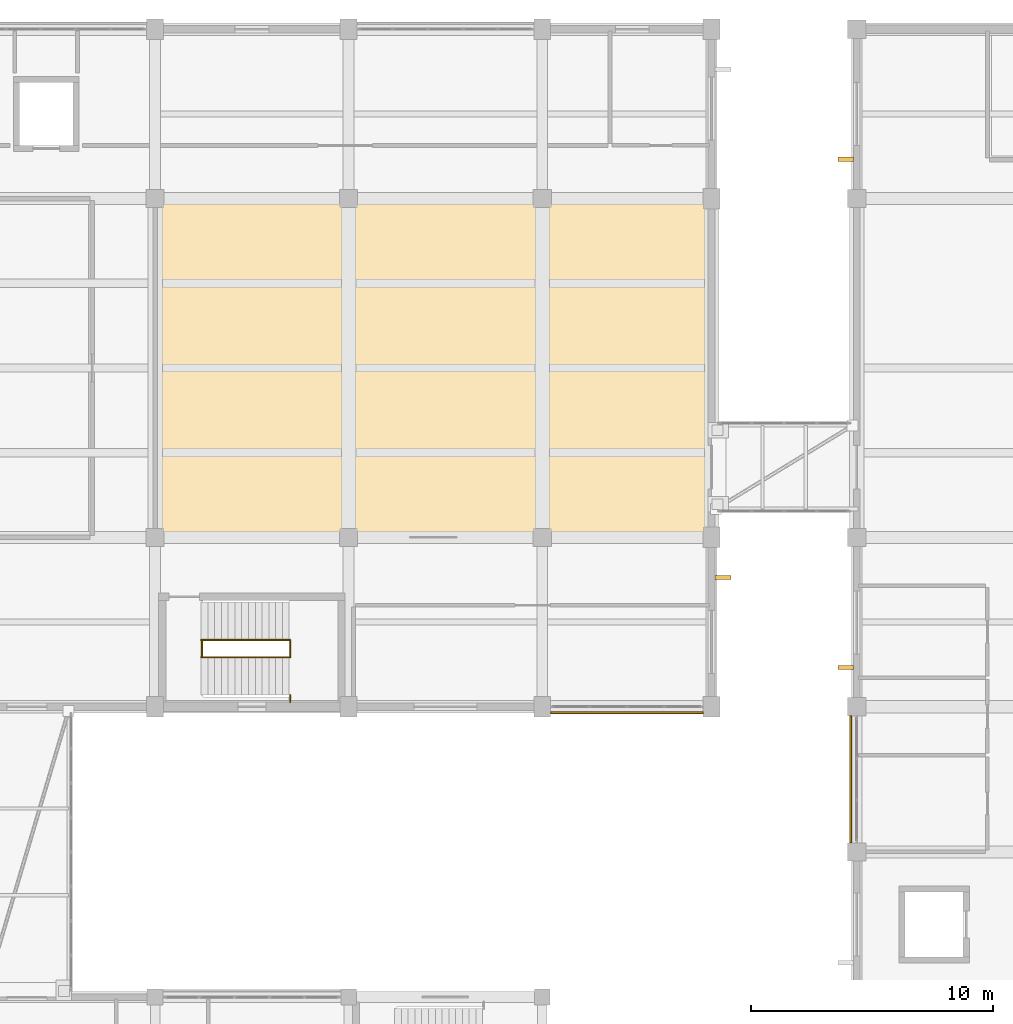
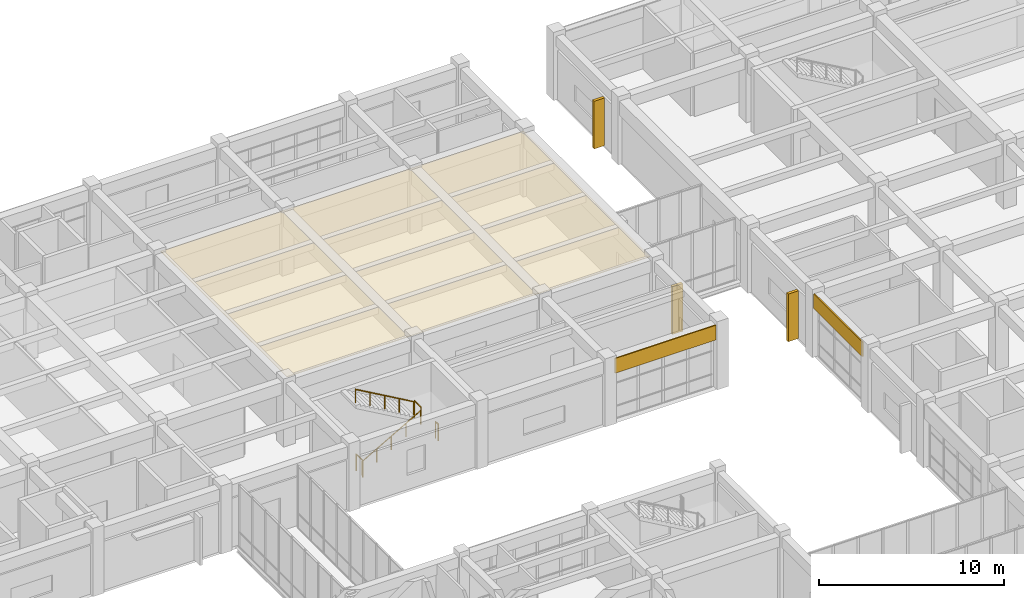
# One storey, part 67 of 70: 5 railings, 3 coverings, 3 shading devices.
"""IFC4 building model written with IfcOpenShell, lengths in metres."""

from ifc_helpers import new_model, si_unit, direction, frame, origin, origin_2d, place, context, subcontext, project, spatial, polyline, rectangle, circle, outline, extrude, material, layer, layer_set, type_object, element, save


model = new_model("IFC4")

# Units and contexts
model_context = context("Model", 3, precision=1e-05, world=origin(), true_north=direction((0.0, 1.0)))
body_context = subcontext(model_context, "Body", "Model", "MODEL_VIEW")
ifc_project = project(units=[si_unit("LENGTHUNIT", "METRE"), si_unit("AREAUNIT", "SQUARE_METRE"), si_unit("VOLUMEUNIT", "CUBIC_METRE"), si_unit("PLANEANGLEUNIT", "RADIAN"), si_unit("MASSUNIT", "GRAM", prefix="KILO")], contexts=[model_context])

# Site, building, storey
site_placement = place(None, origin())
site = spatial("IfcSite", under=ifc_project, at=site_placement, CompositionType="ELEMENT")
building_placement = place(site_placement, origin())
building = spatial("IfcBuilding", under=site, at=building_placement, Name="Naurynzar Civic Courthouse", CompositionType="ELEMENT")
storey_placement = place(building_placement, frame((0.0, 0.0, 5.39990234375)))
storey = spatial("IfcBuildingStorey", under=building, at=storey_placement, Name="L02", CompositionType="ELEMENT", Elevation=5.39990234375)

# Coverings
ifc_material_1 = material(Name="Acoustic Oak Timber Grade A", Category="wood")
ifc_layer_1 = layer(ifc_material_1, 0.044921875)
ifc_layer_set_1 = layer_set([ifc_layer_1], Name="CEIL-ACOUSTIC-OAK-45")
covering_type_1 = type_object("IfcCoveringType", Name="CEIL-ACOUSTIC-OAK-45", PredefinedType="CEILING", material=ifc_layer_set_1)
covering_1_placement = place(storey_placement, frame((0.0, 0.0, 4.114990234375)))
element("IfcCovering", 1, at=covering_1_placement, inside=storey, type_object=covering_type_1, Name="Acoustic suspended ceiling Civil Chamber Courtroom L02-E", PredefinedType="CEILING", context=body_context, shape_type="SweptSolid", body=[
    extrude(outline(polyline([(123.840087890625, 51.159912109375), (101.159912109375, 51.159912109375), (101.159912109375, 64.840087890625), (123.840087890625, 64.840087890625), (123.840087890625, 51.159912109375)])), origin(), (0.0, 0.0, 1.0), 0.045166015625),
])
ifc_material_2 = material(Name="Precast concrete C40/50", Category="concrete")
ifc_layer_2 = layer(ifc_material_2, 0.080078125)
ifc_layer_set_2 = layer_set([ifc_layer_2], Name="COV-CLAD-PRECAST-80")
covering_type_2 = type_object("IfcCoveringType", Name="COV-CLAD-PRECAST-80", PredefinedType="CLADDING", material=ifc_layer_set_2)
covering_2_placement = place(storey_placement, frame((120.5, 43.7451171875, 3.22998046875), z_axis=(0.0, 0.0, 1.0), x_axis=(-1.0, 0.0, 0.0)))
element("IfcCovering", 2, at=covering_2_placement, inside=storey, type_object=covering_type_2, Name="V2 precast spandrel cladding 23", PredefinedType="CLADDING", context=body_context, shape_type="SweptSolid", body=[
    extrude(rectangle(XDim=6.300048828125, YDim=0.080078125, at=origin_2d()), origin(), (0.0, 0.0, 1.0), 0.969970703125),
])
covering_3_placement = place(storey_placement, frame((129.7451171875, 41.0, 3.22998046875), z_axis=(0.0, 0.0, 1.0), x_axis=(0.0, 1.0, 0.0)))
element("IfcCovering", 3, at=covering_3_placement, inside=storey, type_object=covering_type_2, Name="V5 precast spandrel cladding 87", PredefinedType="CLADDING", context=body_context, shape_type="SweptSolid", body=[
    extrude(rectangle(XDim=5.25, YDim=0.080078125, at=origin_2d()), origin(), (0.0, 0.0, 1.0), 0.969970703125),
])

# Railings
ifc_material_3 = material(Name="Brushed Stainless Steel 304", Category="steel")
railing_type_1 = type_object("IfcRailingType", Name="RAIL-BAL-1100", PredefinedType="BALUSTRADE", material=ifc_material_3)
for number, where, name in (
    (4, (102.93994140625, 46.0400390625, 0.0), "Stair ST-V2B floor well slot guard L02"),
    (5, (106.580078125, 46.0400390625, 2.25), "Stair ST-V2B-L02 half-landing well guard"),
):
    element("IfcRailing", number, at=place(storey_placement, frame(where)), inside=storey, type_object=railing_type_1, Name=name, PredefinedType="BALUSTRADE", context=body_context, shape_type="SweptSolid", body=[
        extrude(circle(Radius=0.02392578125, at=origin_2d()), frame((0.0, 0.0, 1.09619140625), z_axis=(0.0, 1.0, 0.0), x_axis=(-1.0, 0.0, 0.0)), (0.0, 0.0, 1.0), 0.719970703125),
        extrude(circle(Radius=0.02099609375, at=origin_2d()), origin(), (0.0, 0.0, 1.0), 1.072021484375),
        extrude(circle(Radius=0.02099609375, at=origin_2d()), frame((0.0, 0.719970703125, 0.0)), (0.0, 0.0, 1.0), 1.072021484375),
    ])
railing_1_placement = place(storey_placement, frame((106.580078125, 44.195068359375, 2.25)))
element("IfcRailing", 6, at=railing_1_placement, inside=storey, type_object=railing_type_1, Name="Stair ST-V2B-L02 half-landing south slot guard", PredefinedType="BALUSTRADE", context=body_context, shape_type="SweptSolid", body=[
    extrude(circle(Radius=0.02392578125, at=origin_2d()), frame((0.0, 0.0, 1.09619140625), z_axis=(0.0, 1.0, 0.0), x_axis=(-1.0, 0.0, 0.0)), (0.0, 0.0, 1.0), 0.284912109375),
    extrude(circle(Radius=0.02099609375, at=origin_2d()), origin(), (0.0, 0.0, 1.0), 1.072021484375),
    extrude(circle(Radius=0.02099609375, at=origin_2d()), frame((0.0, 0.284912109375, 0.0)), (0.0, 0.0, 1.0), 1.072021484375),
])
ifc_material_4 = material(Name="Brushed Stainless Steel 304", Category="steel")
railing_type_2 = type_object("IfcRailingType", Name="RAIL-HR-900", PredefinedType="HANDRAIL", material=ifc_material_4)
railing_2_placement = place(storey_placement, frame((102.89990234375, 46.0400390625, 0.160888671875)))
element("IfcRailing", 7, at=railing_2_placement, inside=storey, type_object=railing_type_2, Name="Stair ST-V2B-L02 flight 1 handrail", PredefinedType="HANDRAIL", context=body_context, shape_type="SweptSolid", body=[
    extrude(circle(Radius=0.02392578125, at=origin_2d()), frame((0.0, 0.0, 0.8759765625), z_axis=(0.867314486057, 0.0, 0.497760567216), x_axis=(0.0, 1.0, 0.0)), (0.0, 0.0, 1.0), 4.197021484375),
    extrude(circle(Radius=0.02099609375, at=origin_2d()), origin(), (0.0, 0.0, 1.0), 0.851806640625),
    extrude(circle(Radius=0.02099609375, at=origin_2d()), frame((0.91015625, 0.0, 0.522216796875)), (0.0, 0.0, 1.0), 0.851806640625),
    extrude(circle(Radius=0.02099609375, at=origin_2d()), frame((1.820068359375, 0.0, 1.04443359375)), (0.0, 0.0, 1.0), 0.851806640625),
    extrude(circle(Radius=0.02099609375, at=origin_2d()), frame((2.72998046875, 0.0, 1.56689453125)), (0.0, 0.0, 1.0), 0.851806640625),
    extrude(circle(Radius=0.02099609375, at=origin_2d()), frame((3.64013671875, 0.0, 2.089111328125)), (0.0, 0.0, 1.0), 0.851806640625),
])
railing_3_placement = place(storey_placement, frame((106.5400390625, 46.760009765625, 2.410888671875)))
element("IfcRailing", 8, at=railing_3_placement, inside=storey, type_object=railing_type_2, Name="Stair ST-V2B-L02 flight 2 handrail", PredefinedType="HANDRAIL", context=body_context, shape_type="SweptSolid", body=[
    extrude(circle(Radius=0.02392578125, at=origin_2d()), frame((0.0, 0.0, 0.8759765625), z_axis=(-0.867314486057, 0.0, 0.497760567216), x_axis=(0.0, -1.0, 0.0)), (0.0, 0.0, 1.0), 4.197021484375),
    extrude(circle(Radius=0.02099609375, at=origin_2d()), origin(), (0.0, 0.0, 1.0), 0.851806640625),
    extrude(circle(Radius=0.02099609375, at=origin_2d()), frame((-0.91015625, 0.0, 0.522216796875)), (0.0, 0.0, 1.0), 0.851806640625),
    extrude(circle(Radius=0.02099609375, at=origin_2d()), frame((-1.820068359375, 0.0, 1.04443359375)), (0.0, 0.0, 1.0), 0.851806640625),
    extrude(circle(Radius=0.02099609375, at=origin_2d()), frame((-2.72998046875, 0.0, 1.56689453125)), (0.0, 0.0, 1.0), 0.851806640625),
    extrude(circle(Radius=0.02099609375, at=origin_2d()), frame((-3.64013671875, 0.0, 2.089111328125)), (0.0, 0.0, 1.0), 0.851806640625),
])

# Shading devices
ifc_material_5 = material(Name="Precast concrete C40/50", Category="concrete")
shading_device_type = type_object("IfcShadingDeviceType", Name="SHD-FIN-V650", PredefinedType="JALOUSIE", material=ifc_material_5)
for number, where, z_axis, x_axis, name in (
    (9, (124.469970703125, 49.344970703125, 0.0400390625), (0.0, 0.0, 1.0), (0.0, -1.0, 0.0), "V2 vertical brise-soleil fin 10"),
    (10, (129.550048828125, 45.625, 0.0400390625), (0.0, 0.0, 1.0), (0.0, 1.0, 0.0), "V5 vertical brise-soleil fin 74"),
    (11, (129.550048828125, 66.625, 0.0400390625), (0.0, 0.0, 1.0), (0.0, 1.0, 0.0), "V5 vertical brise-soleil fin 75"),
):
    element("IfcShadingDevice", number, at=place(storey_placement, frame(where, z_axis=z_axis, x_axis=x_axis)), inside=storey, type_object=shading_device_type, Name=name, PredefinedType="JALOUSIE", context=body_context, shape_type="SweptSolid", body=[
        extrude(rectangle(XDim=0.179931640625, YDim=0.64990234375, at=origin_2d()), origin(), (0.0, 0.0, 1.0), 3.14990234375),
    ])

save(model, "model.ifc")
